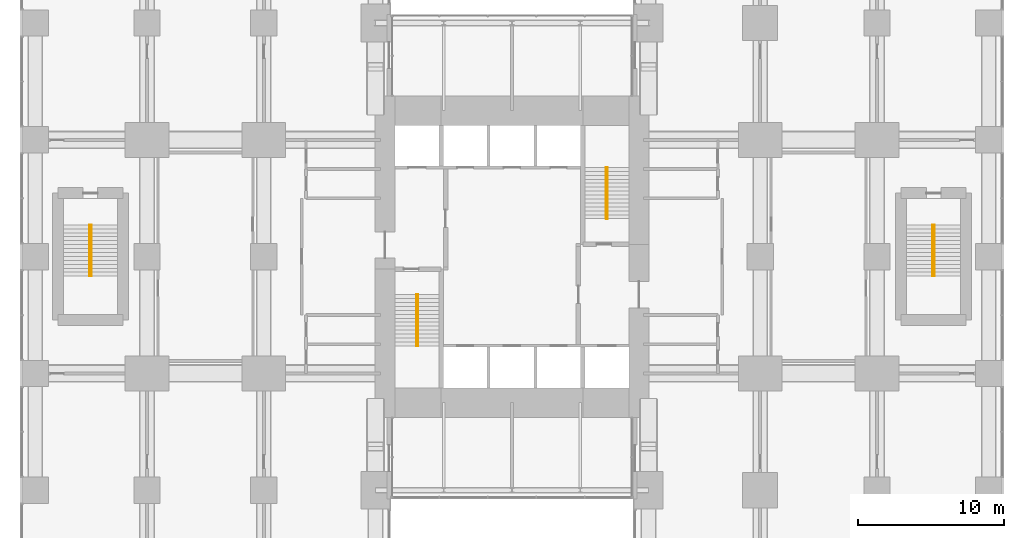
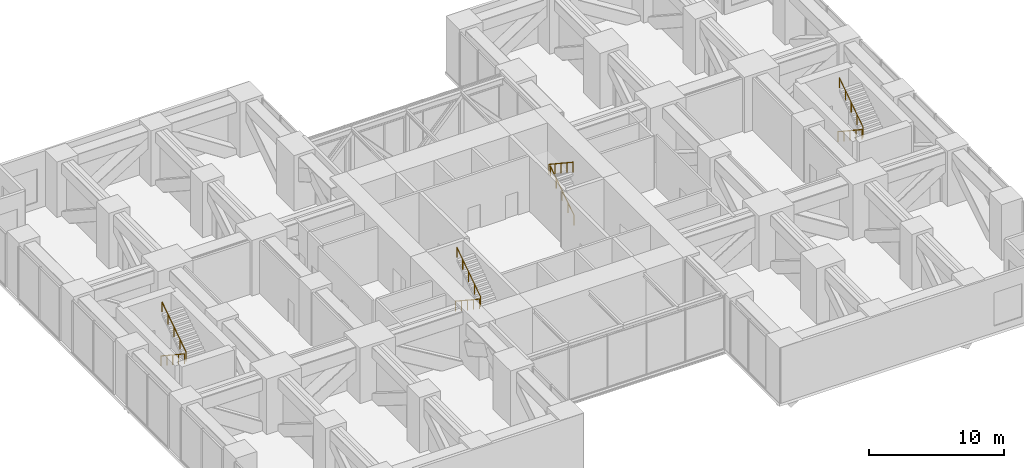
# One storey, part 19 of 19: 8 railings.
"""IFC4 building model written with IfcOpenShell, lengths in metres."""

from ifc_helpers import new_model, si_unit, direction, frame, origin, origin_2d, place, context, subcontext, project, spatial, circle, extrude, material, type_object, element, save


model = new_model("IFC4")

# Units and contexts
model_context = context("Model", 3, precision=1e-05, world=origin(), true_north=direction((0.0, 1.0)))
body_context = subcontext(model_context, "Body", "Model", "MODEL_VIEW")
ifc_project = project(units=[si_unit("LENGTHUNIT", "METRE"), si_unit("AREAUNIT", "SQUARE_METRE"), si_unit("VOLUMEUNIT", "CUBIC_METRE"), si_unit("PLANEANGLEUNIT", "RADIAN"), si_unit("MASSUNIT", "GRAM", prefix="KILO")], contexts=[model_context])

# Site, building, storey
site_placement = place(None, origin())
site = spatial("IfcSite", under=ifc_project, at=site_placement, CompositionType="ELEMENT")
building_placement = place(site_placement, origin())
building = spatial("IfcBuilding", under=site, at=building_placement, Name="Cleftline Residences", CompositionType="ELEMENT")
storey_placement = place(building_placement, frame((0.0, 0.0, 177.199951171875)))
storey = spatial("IfcBuildingStorey", under=building, at=storey_placement, Name="L46", CompositionType="ELEMENT", Elevation=177.199951171875)

# Railings
ifc_material = material(Name="Stainless steel", Category="steel")
railing_type = type_object("IfcRailingType", Name="HANDRAIL 900", PredefinedType="HANDRAIL", material=ifc_material)
railing_1_placement = place(storey_placement, frame((26.449951171875, 21.39990234375, 0.1787109375)))
element("IfcRailing", 1, at=railing_1_placement, inside=storey, type_object=railing_type, Name="Stair handrail", PredefinedType="HANDRAIL", context=body_context, shape_type="SweptSolid", body=[
    extrude(circle(Radius=0.02392578125, at=origin_2d()), frame((0.0, 0.0, 0.8759765625), z_axis=(0.0, -0.834097473627, 0.551617081397), x_axis=(1.0, 0.0, 0.0)), (0.0, 0.0, 1.0), 4.208251953125),
    extrude(circle(Radius=0.02099609375, at=origin_2d()), origin(), (0.0, 0.0, 1.0), 0.851806640625),
    extrude(circle(Radius=0.02099609375, at=origin_2d()), frame((0.0, -0.87744140625, 0.580322265625)), (0.0, 0.0, 1.0), 0.851806640625),
    extrude(circle(Radius=0.02099609375, at=origin_2d()), frame((0.0, -1.7548828125, 1.16064453125)), (0.0, 0.0, 1.0), 0.851806640625),
    extrude(circle(Radius=0.02099609375, at=origin_2d()), frame((0.0, -2.632568359375, 1.740966796875)), (0.0, 0.0, 1.0), 0.851806640625),
    extrude(circle(Radius=0.02099609375, at=origin_2d()), frame((0.0, -3.510009765625, 2.3212890625)), (0.0, 0.0, 1.0), 0.851806640625),
])
for number, where, name in (
    (2, (26.550048828125, 17.889892578125, 2.6787109375), "Stair handrail"),
    (3, (39.550048828125, 26.60009765625, 0.1787109375), "Stair handrail"),
):
    element("IfcRailing", number, at=place(storey_placement, frame(where)), inside=storey, type_object=railing_type, Name=name, PredefinedType="HANDRAIL", context=body_context, shape_type="SweptSolid", body=[
        extrude(circle(Radius=0.02392578125, at=origin_2d()), frame((0.0, 0.0, 0.8759765625), z_axis=(0.0, 0.834097473627, 0.551617081397), x_axis=(-1.0, 0.0, 0.0)), (0.0, 0.0, 1.0), 4.208251953125),
        extrude(circle(Radius=0.02099609375, at=origin_2d()), origin(), (0.0, 0.0, 1.0), 0.851806640625),
        extrude(circle(Radius=0.02099609375, at=origin_2d()), frame((0.0, 0.87744140625, 0.580322265625)), (0.0, 0.0, 1.0), 0.851806640625),
        extrude(circle(Radius=0.02099609375, at=origin_2d()), frame((0.0, 1.7548828125, 1.16064453125)), (0.0, 0.0, 1.0), 0.851806640625),
        extrude(circle(Radius=0.02099609375, at=origin_2d()), frame((0.0, 2.632568359375, 1.740966796875)), (0.0, 0.0, 1.0), 0.851806640625),
        extrude(circle(Radius=0.02099609375, at=origin_2d()), frame((0.0, 3.510009765625, 2.3212890625)), (0.0, 0.0, 1.0), 0.851806640625),
    ])
for number, where, name in (
    (4, (39.449951171875, 30.110107421875, 2.6787109375), "Stair handrail"),
    (5, (61.824951171875, 26.175048828125, 0.1787109375), "Stair handrail"),
):
    element("IfcRailing", number, at=place(storey_placement, frame(where)), inside=storey, type_object=railing_type, Name=name, PredefinedType="HANDRAIL", context=body_context, shape_type="SweptSolid", body=[
        extrude(circle(Radius=0.02392578125, at=origin_2d()), frame((0.0, 0.0, 0.8759765625), z_axis=(0.0, -0.834097473627, 0.551617081397), x_axis=(1.0, 0.0, 0.0)), (0.0, 0.0, 1.0), 4.208251953125),
        extrude(circle(Radius=0.02099609375, at=origin_2d()), origin(), (0.0, 0.0, 1.0), 0.851806640625),
        extrude(circle(Radius=0.02099609375, at=origin_2d()), frame((0.0, -0.87744140625, 0.580322265625)), (0.0, 0.0, 1.0), 0.851806640625),
        extrude(circle(Radius=0.02099609375, at=origin_2d()), frame((0.0, -1.7548828125, 1.16064453125)), (0.0, 0.0, 1.0), 0.851806640625),
        extrude(circle(Radius=0.02099609375, at=origin_2d()), frame((0.0, -2.632568359375, 1.740966796875)), (0.0, 0.0, 1.0), 0.851806640625),
        extrude(circle(Radius=0.02099609375, at=origin_2d()), frame((0.0, -3.510009765625, 2.3212890625)), (0.0, 0.0, 1.0), 0.851806640625),
    ])
railing_2_placement = place(storey_placement, frame((61.925048828125, 22.6650390625, 2.6787109375)))
element("IfcRailing", 6, at=railing_2_placement, inside=storey, type_object=railing_type, Name="Stair handrail", PredefinedType="HANDRAIL", context=body_context, shape_type="SweptSolid", body=[
    extrude(circle(Radius=0.02392578125, at=origin_2d()), frame((0.0, 0.0, 0.8759765625), z_axis=(0.0, 0.834097473627, 0.551617081397), x_axis=(-1.0, 0.0, 0.0)), (0.0, 0.0, 1.0), 4.208251953125),
    extrude(circle(Radius=0.02099609375, at=origin_2d()), origin(), (0.0, 0.0, 1.0), 0.851806640625),
    extrude(circle(Radius=0.02099609375, at=origin_2d()), frame((0.0, 0.87744140625, 0.580322265625)), (0.0, 0.0, 1.0), 0.851806640625),
    extrude(circle(Radius=0.02099609375, at=origin_2d()), frame((0.0, 1.7548828125, 1.16064453125)), (0.0, 0.0, 1.0), 0.851806640625),
    extrude(circle(Radius=0.02099609375, at=origin_2d()), frame((0.0, 2.632568359375, 1.740966796875)), (0.0, 0.0, 1.0), 0.851806640625),
    extrude(circle(Radius=0.02099609375, at=origin_2d()), frame((0.0, 3.510009765625, 2.3212890625)), (0.0, 0.0, 1.0), 0.851806640625),
])
railing_3_placement = place(storey_placement, frame((4.074951171875, 26.175048828125, 0.1787109375)))
element("IfcRailing", 7, at=railing_3_placement, inside=storey, type_object=railing_type, Name="Stair handrail", PredefinedType="HANDRAIL", context=body_context, shape_type="SweptSolid", body=[
    extrude(circle(Radius=0.02392578125, at=origin_2d()), frame((0.0, 0.0, 0.8759765625), z_axis=(0.0, -0.834097473627, 0.551617081397), x_axis=(1.0, 0.0, 0.0)), (0.0, 0.0, 1.0), 4.208251953125),
    extrude(circle(Radius=0.02099609375, at=origin_2d()), origin(), (0.0, 0.0, 1.0), 0.851806640625),
    extrude(circle(Radius=0.02099609375, at=origin_2d()), frame((0.0, -0.87744140625, 0.580322265625)), (0.0, 0.0, 1.0), 0.851806640625),
    extrude(circle(Radius=0.02099609375, at=origin_2d()), frame((0.0, -1.7548828125, 1.16064453125)), (0.0, 0.0, 1.0), 0.851806640625),
    extrude(circle(Radius=0.02099609375, at=origin_2d()), frame((0.0, -2.632568359375, 1.740966796875)), (0.0, 0.0, 1.0), 0.851806640625),
    extrude(circle(Radius=0.02099609375, at=origin_2d()), frame((0.0, -3.510009765625, 2.3212890625)), (0.0, 0.0, 1.0), 0.851806640625),
])
railing_4_placement = place(storey_placement, frame((4.175048828125, 22.6650390625, 2.6787109375)))
element("IfcRailing", 8, at=railing_4_placement, inside=storey, type_object=railing_type, Name="Stair handrail", PredefinedType="HANDRAIL", context=body_context, shape_type="SweptSolid", body=[
    extrude(circle(Radius=0.02392578125, at=origin_2d()), frame((0.0, 0.0, 0.8759765625), z_axis=(0.0, 0.834097473627, 0.551617081397), x_axis=(-1.0, 0.0, 0.0)), (0.0, 0.0, 1.0), 4.208251953125),
    extrude(circle(Radius=0.02099609375, at=origin_2d()), origin(), (0.0, 0.0, 1.0), 0.851806640625),
    extrude(circle(Radius=0.02099609375, at=origin_2d()), frame((0.0, 0.87744140625, 0.580322265625)), (0.0, 0.0, 1.0), 0.851806640625),
    extrude(circle(Radius=0.02099609375, at=origin_2d()), frame((0.0, 1.7548828125, 1.16064453125)), (0.0, 0.0, 1.0), 0.851806640625),
    extrude(circle(Radius=0.02099609375, at=origin_2d()), frame((0.0, 2.632568359375, 1.740966796875)), (0.0, 0.0, 1.0), 0.851806640625),
    extrude(circle(Radius=0.02099609375, at=origin_2d()), frame((0.0, 3.510009765625, 2.3212890625)), (0.0, 0.0, 1.0), 0.851806640625),
])

save(model, "model.ifc")
